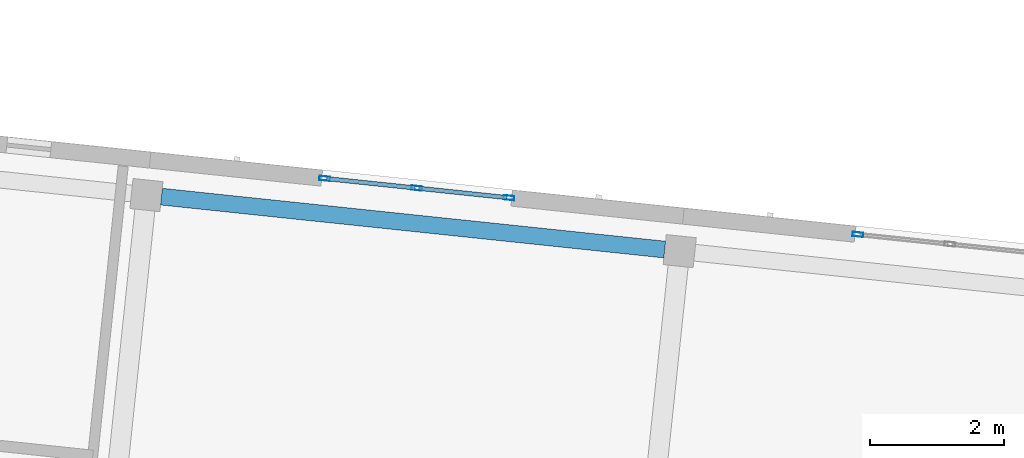
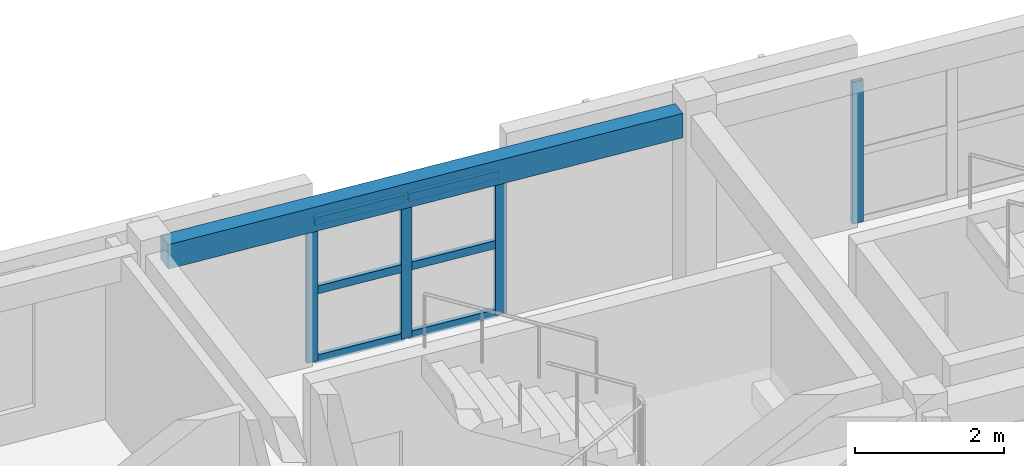
# One storey, part 14 of 56: 10 members, 1 beam, 2 elements without a shape of their own.
"""IFC4 building model written with IfcOpenShell, lengths in metres."""

from ifc_helpers import new_model, si_unit, direction, frame, origin, origin_2d, place, context, subcontext, project, spatial, rectangle, hollow_rectangle, extrude, material, material_profile, profile_set, type_object, element, aggregate, save


model = new_model("IFC4")

# Units and contexts
model_context = context("Model", 3, precision=1e-05, world=origin(), true_north=direction((0.0, 1.0)))
body_context = subcontext(model_context, "Body", "Model", "MODEL_VIEW")
ifc_project = project(units=[si_unit("LENGTHUNIT", "METRE"), si_unit("AREAUNIT", "SQUARE_METRE"), si_unit("VOLUMEUNIT", "CUBIC_METRE"), si_unit("PLANEANGLEUNIT", "RADIAN"), si_unit("MASSUNIT", "GRAM", prefix="KILO")], contexts=[model_context])

# Site, building, storey
site_placement = place(None, origin())
site = spatial("IfcSite", under=ifc_project, at=site_placement, CompositionType="ELEMENT")
building_placement = place(site_placement, origin())
building = spatial("IfcBuilding", under=site, at=building_placement, Name="Kestramere Prow Commons", CompositionType="ELEMENT")
storey_placement = place(building_placement, frame((0.0, 0.0, 27.89990234375)))
storey = spatial("IfcBuildingStorey", under=building, at=storey_placement, Name="L08", CompositionType="ELEMENT", Elevation=27.89990234375)

# Curtain wall, members
ifc_material_1 = material(Name="Anodised Aluminium and Low-E Glass", Category="aluminium")
curtain_wall_type = type_object("IfcCurtainWallType", Name="CW-03 Glazed Curtain Wall 2830x2320", PredefinedType="USERDEFINED", material=ifc_material_1)
curtain_wall_1_placement = place(storey_placement, origin())
curtain_wall_1 = element("IfcCurtainWall", 1, at=curtain_wall_1_placement, inside=storey, type_object=curtain_wall_type, Name="Block B L08 Stairwell Vertical Glazing 4", ObjectType="GLAZED CURTAIN WALL", PredefinedType="USERDEFINED")
ifc_material_2 = material(Name="Anodised Aluminium 6063-T6", Category="aluminium")
ifc_material_profile_1 = material_profile(ifc_material_2, hollow_rectangle(XDim=0.06494140625, YDim=0.159912109375, WallThickness=0.00390625, at=origin_2d()), Name="ALU-MUL 65x160")
ifc_profile_set_1 = profile_set([ifc_material_profile_1], Name="Anodised Aluminium 6063-T6")
member_type_1 = type_object("IfcMemberType", Name="CW-MUL-65x160", PredefinedType="MULLION", material=ifc_profile_set_1)
member_1_placement = place(storey_placement, frame((138.575439453125, 112.032470703125, 0.0), z_axis=(0.0, 0.0, 1.0), x_axis=(0.104528618845, 0.994521879016, 0.0)))
member_1 = element("IfcMember", 2, at=member_1_placement, type_object=member_type_1, Name="CW-03 mullion 1", PredefinedType="MULLION", context=body_context, shape_type="SweptSolid", body=[
    extrude(hollow_rectangle(XDim=0.06494140625, YDim=0.159912109375, WallThickness=0.00390625, at=origin_2d()), origin(), (0.0, 0.0, 1.0), 2.320068359375),
])
member_2_placement = place(storey_placement, frame((139.9501953125, 111.887939453125, 0.0), z_axis=(0.0, 0.0, 1.0), x_axis=(0.104528618845, 0.994521879016, 0.0)))
member_2 = element("IfcMember", 3, at=member_2_placement, type_object=member_type_1, Name="CW-03 mullion 2", PredefinedType="MULLION", context=body_context, shape_type="SweptSolid", body=[
    extrude(hollow_rectangle(XDim=0.06494140625, YDim=0.159912109375, WallThickness=0.00390625, at=origin_2d()), origin(), (0.0, 0.0, 1.0), 2.320068359375),
])
member_3_placement = place(storey_placement, frame((141.3251953125, 111.743408203125, 0.0), z_axis=(0.0, 0.0, 1.0), x_axis=(0.104528618845, 0.994521879016, 0.0)))
member_3 = element("IfcMember", 4, at=member_3_placement, type_object=member_type_1, Name="CW-03 mullion 3", PredefinedType="MULLION", context=body_context, shape_type="SweptSolid", body=[
    extrude(hollow_rectangle(XDim=0.06494140625, YDim=0.159912109375, WallThickness=0.00390625, at=origin_2d()), origin(), (0.0, 0.0, 1.0), 2.320068359375),
])

# Curtain wall, member
curtain_wall_2_placement = place(storey_placement, origin())
curtain_wall_2 = element("IfcCurtainWall", 5, at=curtain_wall_2_placement, inside=storey, type_object=curtain_wall_type, Name="Block B L08 Stairwell Vertical Glazing 5", ObjectType="GLAZED CURTAIN WALL", PredefinedType="USERDEFINED")
member_4_placement = place(storey_placement, frame((146.531494140625, 111.1962890625, 0.0), z_axis=(0.0, 0.0, 1.0), x_axis=(0.104528269348, 0.99452191575, 0.0)))
member_4 = element("IfcMember", 6, at=member_4_placement, type_object=member_type_1, Name="CW-03 mullion 1", PredefinedType="MULLION", context=body_context, shape_type="SweptSolid", body=[
    extrude(hollow_rectangle(XDim=0.06494140625, YDim=0.159912109375, WallThickness=0.00390625, at=origin_2d()), origin(), (0.0, 0.0, 1.0), 2.320068359375),
])
aggregate(curtain_wall_2, [member_4])

# Member
ifc_material_profile_2 = material_profile(ifc_material_2, hollow_rectangle(XDim=0.06494140625, YDim=0.1298828125, WallThickness=0.00390625, at=origin_2d()), Name="ALU-TRN 65x130")
ifc_profile_set_2 = profile_set([ifc_material_profile_2], Name="Anodised Aluminium 6063-T6")
member_type_2 = type_object("IfcMemberType", Name="CW-TRN-65x130", PredefinedType="USERDEFINED", material=ifc_profile_set_2)
member_5_placement = place(storey_placement, frame((138.607666015625, 112.029052734375, 0.03271484375), z_axis=(0.994523714271, -0.104511156111, 0.0), x_axis=(0.104511156111, 0.994523714271, 0.0)))
member_5 = element("IfcMember", 7, at=member_5_placement, type_object=member_type_2, Name="CW-03 transom 1.1", ObjectType="TRANSOM", PredefinedType="USERDEFINED", context=body_context, shape_type="SweptSolid", body=[
    extrude(hollow_rectangle(XDim=0.06494140625, YDim=0.1298828125, WallThickness=0.00390625, at=origin_2d()), origin(), (0.0, 0.0, 1.0), 1.317626953125),
])

member_6_placement = place(storey_placement, frame((138.607666015625, 112.029052734375, 1.16015625), z_axis=(0.994523714271, -0.104511156111, 0.0), x_axis=(0.104511156111, 0.994523714271, 0.0)))
member_6 = element("IfcMember", 8, at=member_6_placement, type_object=member_type_2, Name="CW-03 transom 1.2", ObjectType="TRANSOM", PredefinedType="USERDEFINED", context=body_context, shape_type="SweptSolid", body=[
    extrude(hollow_rectangle(XDim=0.06494140625, YDim=0.1298828125, WallThickness=0.00390625, at=origin_2d()), origin(), (0.0, 0.0, 1.0), 1.317626953125),
])

member_7_placement = place(storey_placement, frame((138.607666015625, 112.029052734375, 2.28759765625), z_axis=(0.994523714271, -0.104511156111, 0.0), x_axis=(0.104511156111, 0.994523714271, 0.0)))
member_7 = element("IfcMember", 9, at=member_7_placement, type_object=member_type_2, Name="CW-03 transom 1.3", ObjectType="TRANSOM", PredefinedType="USERDEFINED", context=body_context, shape_type="SweptSolid", body=[
    extrude(hollow_rectangle(XDim=0.06494140625, YDim=0.1298828125, WallThickness=0.00390625, at=origin_2d()), origin(), (0.0, 0.0, 1.0), 1.317626953125),
])

member_8_placement = place(storey_placement, frame((139.982666015625, 111.884521484375, 0.03271484375), z_axis=(0.994523714271, -0.104511156111, 0.0), x_axis=(0.104511156111, 0.994523714271, 0.0)))
member_8 = element("IfcMember", 10, at=member_8_placement, type_object=member_type_2, Name="CW-03 transom 2.1", ObjectType="TRANSOM", PredefinedType="USERDEFINED", context=body_context, shape_type="SweptSolid", body=[
    extrude(hollow_rectangle(XDim=0.06494140625, YDim=0.1298828125, WallThickness=0.00390625, at=origin_2d()), origin(), (0.0, 0.0, 1.0), 1.317626953125),
])

member_9_placement = place(storey_placement, frame((139.982666015625, 111.884521484375, 1.16015625), z_axis=(0.994523714271, -0.104511156111, 0.0), x_axis=(0.104511156111, 0.994523714271, 0.0)))
member_9 = element("IfcMember", 11, at=member_9_placement, type_object=member_type_2, Name="CW-03 transom 2.2", ObjectType="TRANSOM", PredefinedType="USERDEFINED", context=body_context, shape_type="SweptSolid", body=[
    extrude(hollow_rectangle(XDim=0.06494140625, YDim=0.1298828125, WallThickness=0.00390625, at=origin_2d()), origin(), (0.0, 0.0, 1.0), 1.317626953125),
])

member_10_placement = place(storey_placement, frame((139.982666015625, 111.884521484375, 2.28759765625), z_axis=(0.994523714271, -0.104511156111, 0.0), x_axis=(0.104511156111, 0.994523714271, 0.0)))
member_10 = element("IfcMember", 12, at=member_10_placement, type_object=member_type_2, Name="CW-03 transom 2.3", ObjectType="TRANSOM", PredefinedType="USERDEFINED", context=body_context, shape_type="SweptSolid", body=[
    extrude(hollow_rectangle(XDim=0.06494140625, YDim=0.1298828125, WallThickness=0.00390625, at=origin_2d()), origin(), (0.0, 0.0, 1.0), 1.317626953125),
])

aggregate(curtain_wall_1, [member_1, member_2, member_3, member_5, member_6, member_7, member_8, member_9, member_10])

# Beam
ifc_material_3 = material(Name="Precast concrete C40/50", Category="concrete")
ifc_material_profile_3 = material_profile(ifc_material_3, rectangle(XDim=0.25, YDim=0.39990234375, at=origin_2d()), Name="PC-SP 250x400")
ifc_profile_set_3 = profile_set([ifc_material_profile_3], Name="Precast concrete C40/50")
beam_type = type_object("IfcBeamType", Name="SP-EXT-01 PC-SP 250x400", PredefinedType="SPANDREL", material=ifc_profile_set_3)
beam_placement = place(storey_placement, frame((136.14111328125, 111.760498046875, 2.800048828125), z_axis=(0.994520149735, -0.104545070528, 0.0), x_axis=(0.104545070528, 0.994520149735, 0.0)))
element("IfcBeam", 13, at=beam_placement, inside=storey, type_object=beam_type, Name="Block B L08 Longitudinal Beam 4-4", PredefinedType="SPANDREL", context=body_context, shape_type="SweptSolid", body=[
    extrude(rectangle(XDim=0.25, YDim=0.39990234375, at=origin_2d()), origin(), (0.0, 0.0, 1.0), 7.5498046875),
])

save(model, "model.ifc")
